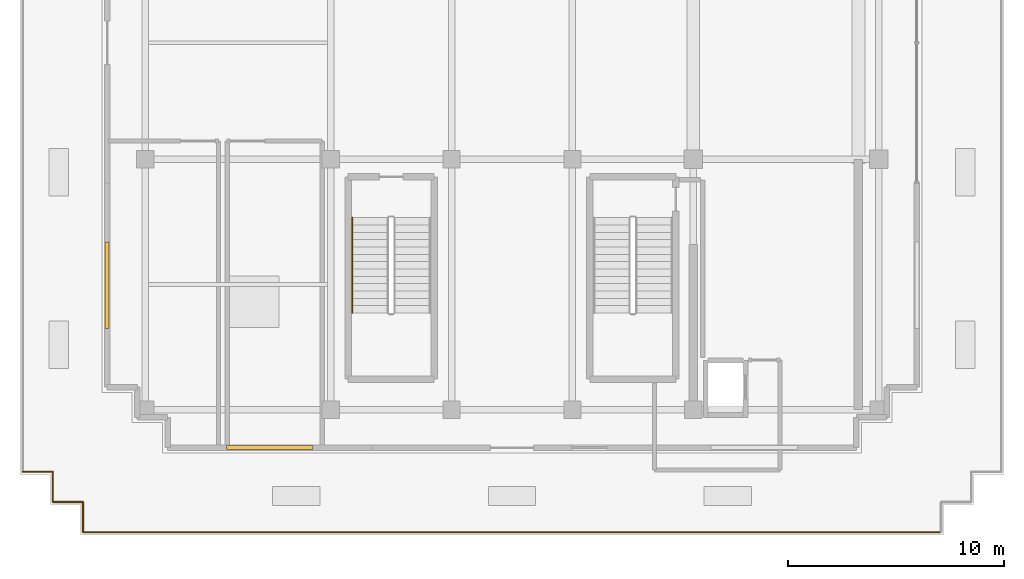
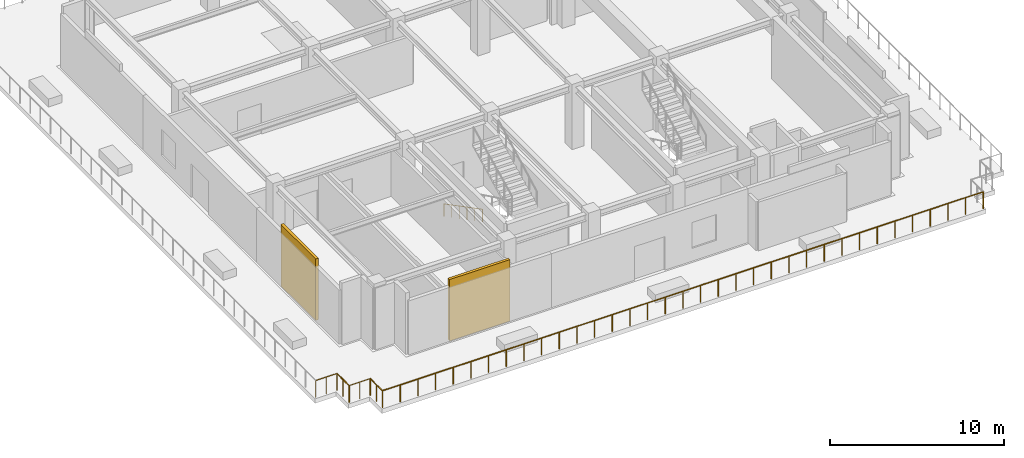
# One storey, part 6 of 13: 6 railings, 2 shading devices.
"""IFC4 building model written with IfcOpenShell, lengths in metres."""

from ifc_helpers import new_model, si_unit, direction, frame, origin, origin_2d, place, context, subcontext, project, spatial, rectangle, circle, extrude, source, transform, mapped, material, layer, layer_set, type_object, element, save


model = new_model("IFC4")

# Units and contexts
model_context = context("Model", 3, precision=1e-05, world=origin(), true_north=direction((0.0, 1.0)))
body_context = subcontext(model_context, "Body", "Model", "MODEL_VIEW")
ifc_project = project(units=[si_unit("LENGTHUNIT", "METRE"), si_unit("AREAUNIT", "SQUARE_METRE"), si_unit("VOLUMEUNIT", "CUBIC_METRE"), si_unit("PLANEANGLEUNIT", "RADIAN"), si_unit("MASSUNIT", "GRAM", prefix="KILO")], contexts=[model_context])

# Site, building, storey
site_placement = place(None, origin())
site = spatial("IfcSite", under=ifc_project, at=site_placement, CompositionType="ELEMENT")
building_placement = place(site_placement, origin())
building = spatial("IfcBuilding", under=site, at=building_placement, Name="Nahalor Promenade Grand Hotel", CompositionType="ELEMENT")
storey_placement = place(building_placement, frame((0.0, 0.0, 357.050048828125)))
storey = spatial("IfcBuildingStorey", under=building, at=storey_placement, Name="L91", CompositionType="ELEMENT", Elevation=357.050048828125)

# Railings
ifc_material_1 = material(Name="Anodised Bronze Aluminium EN AW-6063 T6", Category="aluminium")
railing_type_1 = type_object("IfcRailingType", Name="Bronze Balcony Guardrail 1200 mm", PredefinedType="GUARDRAIL", material=ifc_material_1)
railing_1_placement = place(storey_placement, frame((-19.8798828125, -22.679931640625, 0.0)))
element("IfcRailing", 1, at=railing_1_placement, inside=storey, type_object=railing_type_1, Name="L91 Edge Guardrail RL-L91-SG-1", PredefinedType="GUARDRAIL", context=body_context, shape_type="SweptSolid", body=[
    extrude(circle(Radius=0.024048, at=origin_2d()), frame((0.0, 0.0, 1.17578125), z_axis=(1.0, 0.0, 0.0), x_axis=(0.0, 1.0, 0.0)), (0.0, 0.0, 1.0), 39.759765625),
    extrude(circle(Radius=0.020996, at=origin_2d()), origin(), (0.0, 0.0, 1.0), 1.14990234375),
    extrude(circle(Radius=0.020996, at=origin_2d()), frame((1.16943359375, 0.0, 0.0)), (0.0, 0.0, 1.0), 1.14990234375),
    extrude(circle(Radius=0.020996, at=origin_2d()), frame((2.3388671875, 0.0, 0.0)), (0.0, 0.0, 1.0), 1.14990234375),
    extrude(circle(Radius=0.020996, at=origin_2d()), frame((3.50830078125, 0.0, 0.0)), (0.0, 0.0, 1.0), 1.14990234375),
    extrude(circle(Radius=0.020996, at=origin_2d()), frame((4.677734375, 0.0, 0.0)), (0.0, 0.0, 1.0), 1.14990234375),
    extrude(circle(Radius=0.020996, at=origin_2d()), frame((5.846923828125, 0.0, 0.0)), (0.0, 0.0, 1.0), 1.14990234375),
    extrude(circle(Radius=0.020996, at=origin_2d()), frame((7.016357421875, 0.0, 0.0)), (0.0, 0.0, 1.0), 1.14990234375),
    extrude(circle(Radius=0.020996, at=origin_2d()), frame((8.185791015625, 0.0, 0.0)), (0.0, 0.0, 1.0), 1.14990234375),
    extrude(circle(Radius=0.020996, at=origin_2d()), frame((9.355224609375, 0.0, 0.0)), (0.0, 0.0, 1.0), 1.14990234375),
    extrude(circle(Radius=0.020996, at=origin_2d()), frame((10.524658203125, 0.0, 0.0)), (0.0, 0.0, 1.0), 1.14990234375),
    extrude(circle(Radius=0.020996, at=origin_2d()), frame((11.694091796875, 0.0, 0.0)), (0.0, 0.0, 1.0), 1.14990234375),
    extrude(circle(Radius=0.020996, at=origin_2d()), frame((12.863525390625, 0.0, 0.0)), (0.0, 0.0, 1.0), 1.14990234375),
    extrude(circle(Radius=0.020996, at=origin_2d()), frame((14.032958984375, 0.0, 0.0)), (0.0, 0.0, 1.0), 1.14990234375),
    extrude(circle(Radius=0.020996, at=origin_2d()), frame((15.2021484375, 0.0, 0.0)), (0.0, 0.0, 1.0), 1.14990234375),
    extrude(circle(Radius=0.020996, at=origin_2d()), frame((16.37158203125, 0.0, 0.0)), (0.0, 0.0, 1.0), 1.14990234375),
    extrude(circle(Radius=0.020996, at=origin_2d()), frame((17.541015625, 0.0, 0.0)), (0.0, 0.0, 1.0), 1.14990234375),
    extrude(circle(Radius=0.020996, at=origin_2d()), frame((18.71044921875, 0.0, 0.0)), (0.0, 0.0, 1.0), 1.14990234375),
    extrude(circle(Radius=0.020996, at=origin_2d()), frame((19.8798828125, 0.0, 0.0)), (0.0, 0.0, 1.0), 1.14990234375),
    extrude(circle(Radius=0.020996, at=origin_2d()), frame((21.04931640625, 0.0, 0.0)), (0.0, 0.0, 1.0), 1.14990234375),
    extrude(circle(Radius=0.020996, at=origin_2d()), frame((22.21875, 0.0, 0.0)), (0.0, 0.0, 1.0), 1.14990234375),
    extrude(circle(Radius=0.020996, at=origin_2d()), frame((23.38818359375, 0.0, 0.0)), (0.0, 0.0, 1.0), 1.14990234375),
    extrude(circle(Radius=0.020996, at=origin_2d()), frame((24.5576171875, 0.0, 0.0)), (0.0, 0.0, 1.0), 1.14990234375),
    extrude(circle(Radius=0.020996, at=origin_2d()), frame((25.726806640625, 0.0, 0.0)), (0.0, 0.0, 1.0), 1.14990234375),
    extrude(circle(Radius=0.020996, at=origin_2d()), frame((26.896240234375, 0.0, 0.0)), (0.0, 0.0, 1.0), 1.14990234375),
    extrude(circle(Radius=0.020996, at=origin_2d()), frame((28.065673828125, 0.0, 0.0)), (0.0, 0.0, 1.0), 1.14990234375),
    extrude(circle(Radius=0.020996, at=origin_2d()), frame((29.235107421875, 0.0, 0.0)), (0.0, 0.0, 1.0), 1.14990234375),
    extrude(circle(Radius=0.020996, at=origin_2d()), frame((30.404541015625, 0.0, 0.0)), (0.0, 0.0, 1.0), 1.14990234375),
    extrude(circle(Radius=0.020996, at=origin_2d()), frame((31.573974609375, 0.0, 0.0)), (0.0, 0.0, 1.0), 1.14990234375),
    extrude(circle(Radius=0.020996, at=origin_2d()), frame((32.743408203125, 0.0, 0.0)), (0.0, 0.0, 1.0), 1.14990234375),
    extrude(circle(Radius=0.020996, at=origin_2d()), frame((33.912841796875, 0.0, 0.0)), (0.0, 0.0, 1.0), 1.14990234375),
    extrude(circle(Radius=0.020996, at=origin_2d()), frame((35.08203125, 0.0, 0.0)), (0.0, 0.0, 1.0), 1.14990234375),
    extrude(circle(Radius=0.020996, at=origin_2d()), frame((36.25146484375, 0.0, 0.0)), (0.0, 0.0, 1.0), 1.14990234375),
    extrude(circle(Radius=0.020996, at=origin_2d()), frame((37.4208984375, 0.0, 0.0)), (0.0, 0.0, 1.0), 1.14990234375),
    extrude(circle(Radius=0.020996, at=origin_2d()), frame((38.59033203125, 0.0, 0.0)), (0.0, 0.0, 1.0), 1.14990234375),
    extrude(circle(Radius=0.020996, at=origin_2d()), frame((39.759765625, 0.0, 0.0)), (0.0, 0.0, 1.0), 1.14990234375),
])
railing_2_placement = place(storey_placement, frame((-22.679931640625, -19.8798828125, 0.0)))
element("IfcRailing", 2, at=railing_2_placement, inside=storey, type_object=railing_type_1, Name="L91 Edge Guardrail RL-L91-SG-17", PredefinedType="GUARDRAIL", context=body_context, shape_type="SweptSolid", body=[
    extrude(circle(Radius=0.024048, at=origin_2d()), frame((0.0, 0.0, 1.17578125), z_axis=(1.0, 0.0, 0.0), x_axis=(0.0, 1.0, 0.0)), (0.0, 0.0, 1.0), 1.39990234375),
    extrude(circle(Radius=0.020996, at=origin_2d()), origin(), (0.0, 0.0, 1.0), 1.14990234375),
    extrude(circle(Radius=0.020996, at=origin_2d()), frame((0.699951171875, 0.0, 0.0)), (0.0, 0.0, 1.0), 1.14990234375),
    extrude(circle(Radius=0.020996, at=origin_2d()), frame((1.39990234375, 0.0, 0.0)), (0.0, 0.0, 1.0), 1.14990234375),
])
railing_3_placement = place(storey_placement, frame((-21.280029296875, -19.8798828125, 0.0)))
element("IfcRailing", 3, at=railing_3_placement, inside=storey, type_object=railing_type_1, Name="L91 Edge Guardrail RL-L91-SG-18", PredefinedType="GUARDRAIL", context=body_context, shape_type="SweptSolid", body=[
    extrude(circle(Radius=0.024048, at=origin_2d()), frame((0.0, 0.0, 1.17578125), z_axis=(0.0, -1.0, 0.0), x_axis=(1.0, 0.0, 0.0)), (0.0, 0.0, 1.0), 1.400146484375),
    extrude(circle(Radius=0.020996, at=origin_2d()), origin(), (0.0, 0.0, 1.0), 1.14990234375),
    extrude(circle(Radius=0.020996, at=origin_2d()), frame((0.0, -0.7001953125, 0.0)), (0.0, 0.0, 1.0), 1.14990234375),
    extrude(circle(Radius=0.020996, at=origin_2d()), frame((0.0, -1.400146484375, 0.0)), (0.0, 0.0, 1.0), 1.14990234375),
])
railing_4_placement = place(storey_placement, frame((-21.280029296875, -21.280029296875, 0.0)))
element("IfcRailing", 4, at=railing_4_placement, inside=storey, type_object=railing_type_1, Name="L91 Edge Guardrail RL-L91-SG-19", PredefinedType="GUARDRAIL", context=body_context, shape_type="SweptSolid", body=[
    extrude(circle(Radius=0.024048, at=origin_2d()), frame((0.0, 0.0, 1.17578125), z_axis=(1.0, 0.0, 0.0), x_axis=(0.0, 1.0, 0.0)), (0.0, 0.0, 1.0), 1.400146484375),
    extrude(circle(Radius=0.020996, at=origin_2d()), origin(), (0.0, 0.0, 1.0), 1.14990234375),
    extrude(circle(Radius=0.020996, at=origin_2d()), frame((0.7001953125, 0.0, 0.0)), (0.0, 0.0, 1.0), 1.14990234375),
    extrude(circle(Radius=0.020996, at=origin_2d()), frame((1.400146484375, 0.0, 0.0)), (0.0, 0.0, 1.0), 1.14990234375),
])
railing_5_placement = place(storey_placement, frame((-19.8798828125, -21.280029296875, 0.0)))
element("IfcRailing", 5, at=railing_5_placement, inside=storey, type_object=railing_type_1, Name="L91 Edge Guardrail RL-L91-SG-20", PredefinedType="GUARDRAIL", context=body_context, shape_type="SweptSolid", body=[
    extrude(circle(Radius=0.024048, at=origin_2d()), frame((0.0, 0.0, 1.17578125), z_axis=(0.0, -1.0, 0.0), x_axis=(1.0, 0.0, 0.0)), (0.0, 0.0, 1.0), 1.39990234375),
    extrude(circle(Radius=0.020996, at=origin_2d()), origin(), (0.0, 0.0, 1.0), 1.14990234375),
    extrude(circle(Radius=0.020996, at=origin_2d()), frame((0.0, -0.699951171875, 0.0)), (0.0, 0.0, 1.0), 1.14990234375),
    extrude(circle(Radius=0.020996, at=origin_2d()), frame((0.0, -1.39990234375, 0.0)), (0.0, 0.0, 1.0), 1.14990234375),
])
ifc_material_2 = material(Name="Steel S355JR", Category="steel")
railing_type_2 = type_object("IfcRailingType", Name="Steel Stair Handrail 900 mm", PredefinedType="HANDRAIL", material=ifc_material_2)
railing_6_placement = place(storey_placement, frame((-7.39990234375, -8.10009765625, 0.164306640625)))
element("IfcRailing", 6, at=railing_6_placement, inside=storey, type_object=railing_type_2, Name="L91 ST3 stair handrail 1", PredefinedType="HANDRAIL", context=body_context, shape_type="SweptSolid", body=[
    extrude(circle(Radius=0.024048, at=origin_2d()), frame((0.0, 0.0, 0.8759765625), z_axis=(0.0, -0.887077971717, 0.461619618402), x_axis=(1.0, 0.0, 0.0)), (0.0, 0.0, 1.0), 4.982666015625),
    extrude(circle(Radius=0.020996, at=origin_2d()), origin(), (0.0, 0.0, 1.0), 0.849853515625),
    extrude(circle(Radius=0.020996, at=origin_2d()), frame((0.0, -0.884033203125, 0.4599609375)), (0.0, 0.0, 1.0), 0.849853515625),
    extrude(circle(Radius=0.020996, at=origin_2d()), frame((0.0, -1.76806640625, 0.919921875)), (0.0, 0.0, 1.0), 0.849853515625),
    extrude(circle(Radius=0.020996, at=origin_2d()), frame((0.0, -2.65185546875, 1.380126953125)), (0.0, 0.0, 1.0), 0.849853515625),
    extrude(circle(Radius=0.020996, at=origin_2d()), frame((0.0, -3.535888671875, 1.840087890625)), (0.0, 0.0, 1.0), 0.849853515625),
    extrude(circle(Radius=0.020996, at=origin_2d()), frame((0.0, -4.419921875, 2.300048828125)), (0.0, 0.0, 1.0), 0.849853515625),
])

# Shading devices
ifc_layer = layer(ifc_material_1, 0.179931640625)
ifc_layer_set = layer_set([ifc_layer], Name="Anodised Bronze Aluminium EN AW-6063 T6")
shading_device_type = type_object("IfcShadingDeviceType", Name="Shade-PlantLouvre-Bronze", PredefinedType="USERDEFINED", material=ifc_layer_set)
shared_shape = source(origin(), body_context, "Body", "SweptSolid", [
    extrude(rectangle(XDim=4.0, YDim=0.179931640625, at=origin_2d()), origin(), (0.0, 0.0, 1.0), 4.300048828125),
])
for number, where, z_axis, x_axis, name in (
    (7, (-11.22998046875, -18.760009765625, 0.0), (0.0, 0.0, 1.0), (1.0, 0.0, 0.0), "LV-L91-SL"),
    (8, (-18.760009765625, -11.22998046875, 0.0), (0.0, 0.0, 1.0), (0.0, 1.0, 0.0), "LV-L91-WL"),
):
    element("IfcShadingDevice", number, at=place(storey_placement, frame(where, z_axis=z_axis, x_axis=x_axis)), inside=storey, type_object=shading_device_type, Name=name, ObjectType="LOUVRE", PredefinedType="USERDEFINED", context=body_context, shape_type="MappedRepresentation", body=[
        mapped(shared_shape, transform((0.0, 0.0, 0.0), scale=1.0)),
    ])

save(model, "model.ifc")
